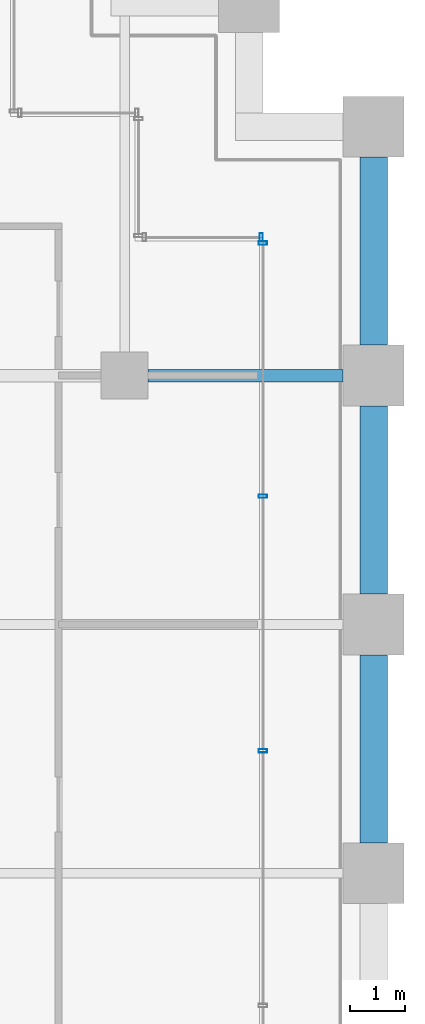
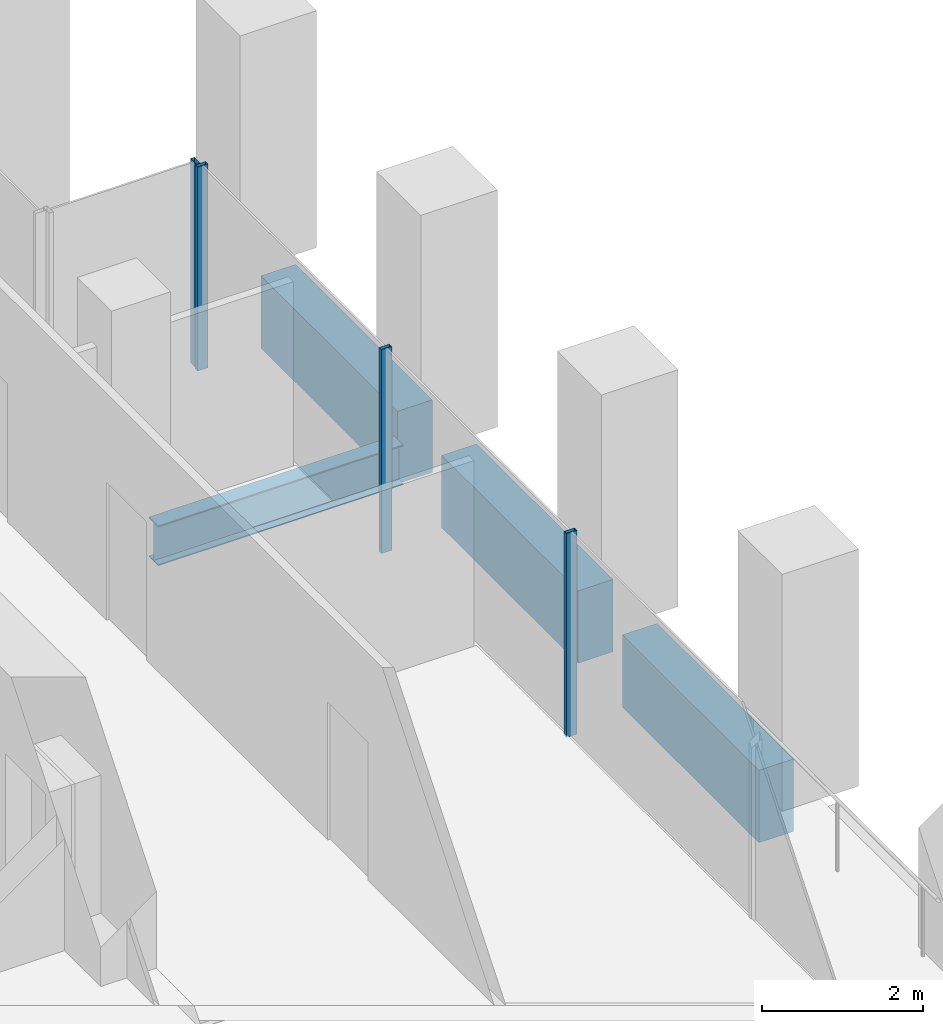
# One storey, part 47 of 56: 4 beams, 4 members, 2 elements without a shape of their own.
"""IFC4 building model written with IfcOpenShell, lengths in metres."""

import ifcopenshell
import ifcopenshell.guid

model = None  # the IFC model being written
_history = None  # IfcOwnerHistory: only IFC2X3 demands one
_inside = {}  # id of a spatial element -> (the spatial element, [elements in it])
_under = {}  # id of a project, library or spatial element -> (it, [spatial elements below it])
_declared = {}  # id of a project -> (the project, [libraries it declares])
_typed = {}  # id of a type object -> (the type object, [elements of that type])
_made_of = {}  # id of a material, layer set ... -> (it, [elements and type objects made of it])


def new_model(schema):
    """Start an empty IFC model of exactly this schema.

    Asked for "IFC4X3", IfcOpenShell would pick the latest addendum, in which some entities
    have other attributes; the version numbers below select the first issue.
    IFC2X3 requires an IfcOwnerHistory on every rooted entity: one is made here for all.
    """
    global model, _history
    if schema == "IFC4X3":
        model = ifcopenshell.file(schema_version=(4, 3, 0, 0))
    else:
        model = ifcopenshell.file(schema=schema)
    _inside.clear()
    _under.clear()
    _declared.clear()
    _typed.clear()
    _made_of.clear()
    _history = None
    if model.schema == "IFC2X3":
        org = make("IfcOrganization", Name="unknown")
        user = make(
            "IfcPersonAndOrganization",
            ThePerson=make("IfcPerson", FamilyName="unknown"),
            TheOrganization=org,
        )
        app = make(
            "IfcApplication",
            ApplicationDeveloper=org,
            Version="unknown",
            ApplicationFullName="unknown",
            ApplicationIdentifier="unknown",
        )
        _history = make(
            "IfcOwnerHistory",
            OwningUser=user,
            OwningApplication=app,
            ChangeAction="ADDED",
            CreationDate=0,
        )
    return model


def make(cls, **values):
    """One entity of the class cls with the attributes given. An attribute that is None is left unset."""
    return model.create_entity(
        cls, **{name: value for name, value in values.items() if value is not None}
    )


def rooted(cls, **values):
    """An entity with a GlobalId (a new one), such as an element, a storey or a relation."""
    return make(cls, GlobalId=ifcopenshell.guid.new(), OwnerHistory=_history, **values)


def si_unit(unit_type, name, prefix=None):
    """IfcSIUnit, for example si_unit("LENGTHUNIT", "METRE", prefix="MILLI")."""
    return make("IfcSIUnit", UnitType=unit_type, Prefix=prefix, Name=name)


def assignment(units):
    """IfcUnitAssignment: the units of a project."""
    return None if units is None else make("IfcUnitAssignment", Units=units)


def point(xyz):
    """IfcCartesianPoint."""
    return None if xyz is None else make("IfcCartesianPoint", Coordinates=xyz)


def direction(xyz):
    """IfcDirection."""
    return None if xyz is None else make("IfcDirection", DirectionRatios=xyz)


def frame(location, z_axis=None, x_axis=None):
    """IfcAxis2Placement3D, a coordinate frame: its origin and axes. An axis left out is left unset."""
    return make(
        "IfcAxis2Placement3D",
        Location=point(location),
        Axis=direction(z_axis),
        RefDirection=direction(x_axis),
    )


def frame_2d(location, x_axis=None):
    """IfcAxis2Placement2D, a coordinate frame in the plane: its origin and x axis."""
    return make(
        "IfcAxis2Placement2D", Location=point(location), RefDirection=direction(x_axis)
    )


def origin():
    """The frame at (0, 0, 0) with its axes left unset."""
    return frame((0.0, 0.0, 0.0))


def origin_2d():
    """The frame at (0, 0) in the plane with its x axis left unset."""
    return frame_2d((0.0, 0.0))


def place(relative_to, where):
    """IfcLocalPlacement: puts the frame where relative to a parent placement (None: the world)."""
    return make(
        "IfcLocalPlacement", PlacementRelTo=relative_to, RelativePlacement=where
    )


def context(
    kind, dimensions, precision=None, world=None, true_north=None, identifier=None
):
    """IfcGeometricRepresentationContext, for example the 3D "Model" context."""
    return make(
        "IfcGeometricRepresentationContext",
        ContextIdentifier=identifier,
        ContextType=kind,
        CoordinateSpaceDimension=dimensions,
        Precision=precision,
        WorldCoordinateSystem=world,
        TrueNorth=true_north,
    )


def subcontext(parent, identifier, kind, view, scale=None):
    """IfcGeometricRepresentationSubContext, for example "Body" below "Model"."""
    return make(
        "IfcGeometricRepresentationSubContext",
        ContextIdentifier=identifier,
        ContextType=kind,
        ParentContext=parent,
        TargetScale=scale,
        TargetView=view,
    )


def project(units=None, contexts=None):
    """IfcProject with its units and contexts."""
    return rooted(
        "IfcProject",
        Name="project",
        RepresentationContexts=contexts,
        UnitsInContext=assignment(units),
    )


def spatial(cls, under=None, at=None, **own):
    """A site, building, storey or space (cls), placed at a placement, below another one or the project."""
    s = rooted(cls, ObjectPlacement=at, **own)
    if under is not None:
        _under.setdefault(under.id(), (under, []))[1].append(s)
    return s


def profile(cls, at=None, kind="AREA", **sizes):
    """A parametric profile (cls). Its sizes go by their IFC names, for example OverallWidth=200.0."""
    return make(cls, ProfileType=kind, Position=at, **sizes)


def rectangle(**sizes):
    """IfcRectangleProfileDef."""
    return profile("IfcRectangleProfileDef", **sizes)


def hollow_rectangle(**sizes):
    """IfcRectangleHollowProfileDef."""
    return profile("IfcRectangleHollowProfileDef", **sizes)


def i_section(**sizes):
    """IfcIShapeProfileDef."""
    return profile("IfcIShapeProfileDef", **sizes)


def extrude(swept, where, along, depth):
    """IfcExtrudedAreaSolid: the profile swept, set in the frame where, extruded along a direction by depth."""
    return make(
        "IfcExtrudedAreaSolid",
        SweptArea=swept,
        Position=where,
        ExtrudedDirection=direction(along),
        Depth=depth,
    )


def shape(context_of_items, identifier, shape_type, items):
    """IfcShapeRepresentation: the items that make up one representation, for example the "Body"."""
    return make(
        "IfcShapeRepresentation",
        ContextOfItems=context_of_items,
        RepresentationIdentifier=identifier,
        RepresentationType=shape_type,
        Items=items,
    )


def material(Name=None, Category=None):
    """IfcMaterial."""
    return make("IfcMaterial", Name=Name, Category=Category)


def material_profile(
    of_material, cross_section, Name=None, Category=None, Priority=None
):
    """IfcMaterialProfile: a cross section and its material."""
    return make(
        "IfcMaterialProfile",
        Name=Name,
        Material=of_material,
        Profile=cross_section,
        Priority=Priority,
        Category=Category,
    )


def profile_set(profiles, Name=None, composite=None):
    """IfcMaterialProfileSet."""
    return make(
        "IfcMaterialProfileSet",
        Name=Name,
        MaterialProfiles=profiles,
        CompositeProfile=composite,
    )


def made_of(thing, what):
    """Note that an element or type object is made of a material, layer set ...; save() writes the relation."""
    if what is not None:
        _made_of.setdefault(what.id(), (what, []))[1].append(thing)
    return thing


def type_object(cls, material=None, **own):
    """A type object (cls), such as IfcWallType, which elements share."""
    return made_of(rooted(cls, **own), material)


def element(
    cls,
    number,
    at=None,
    inside=None,
    cuts=None,
    type_object=None,
    material=None,
    context=None,
    identifier="Body",
    shape_type=None,
    held_by="IfcProductDefinitionShape",
    body=None,
    shapes=None,
    **own,
):
    """One element of the class cls, such as IfcWall. Its Tag is "e" and its number.

    at: its placement. inside: the storey or other place that contains it. cuts: it is an
    opening in that element (IfcRelVoidsElement). A single representation is given by context,
    identifier, shape_type and body (its items); several are given by shapes. held_by: the class
    of the entity that holds the representations. save() writes the other relations.
    """
    e = rooted(cls, Tag="e%d" % number, ObjectPlacement=at, **own)
    if body is not None:
        shapes = [shape(context, identifier, shape_type, body)]
    if shapes is not None:
        e.Representation = make(held_by, Representations=shapes)
    if inside is not None:
        _inside.setdefault(inside.id(), (inside, []))[1].append(e)
    if cuts is not None:
        rooted(
            "IfcRelVoidsElement", RelatingBuildingElement=cuts, RelatedOpeningElement=e
        )
    if type_object is not None:
        _typed.setdefault(type_object.id(), (type_object, []))[1].append(e)
    return made_of(e, material)


def aggregate(whole, parts):
    """IfcRelAggregates: a whole, such as a stair, and the parts it consists of."""
    return rooted("IfcRelAggregates", RelatingObject=whole, RelatedObjects=parts)


def save(model, path):
    """Write the relations noted so far, then the file.

    IfcRelAggregates (storeys below a building ...), IfcRelContainedInSpatialStructure (elements
    in a storey), IfcRelDefinesByType, IfcRelAssociatesMaterial and IfcRelDeclares: one each for
    every whole, place, type object, material and project.
    """
    for whole, parts in _under.values():
        aggregate(whole, parts)
    for where, things in _inside.values():
        rooted(
            "IfcRelContainedInSpatialStructure",
            RelatedElements=things,
            RelatingStructure=where,
        )
    for kind, things in _typed.values():
        rooted("IfcRelDefinesByType", RelatedObjects=things, RelatingType=kind)
    for what, things in _made_of.values():
        rooted("IfcRelAssociatesMaterial", RelatedObjects=things, RelatingMaterial=what)
    for by, libraries in _declared.values():
        rooted("IfcRelDeclares", RelatingContext=by, RelatedDefinitions=libraries)
    model.write(path)


model = new_model("IFC4")

# Units and contexts
model_context = context("Model", 3, precision=1e-05, world=origin(), true_north=direction((0.0, 1.0)))
body_context = subcontext(model_context, "Body", "Model", "MODEL_VIEW")
ifc_project = project(units=[si_unit("LENGTHUNIT", "METRE"), si_unit("AREAUNIT", "SQUARE_METRE"), si_unit("VOLUMEUNIT", "CUBIC_METRE"), si_unit("PLANEANGLEUNIT", "RADIAN"), si_unit("MASSUNIT", "GRAM", prefix="KILO")], contexts=[model_context])

# Site, building, storey
site_placement = place(None, origin())
site = spatial("IfcSite", under=ifc_project, at=site_placement, CompositionType="ELEMENT")
building_placement = place(site_placement, origin())
building = spatial("IfcBuilding", under=site, at=building_placement, Name="Altepetl Exchange Towers", CompositionType="ELEMENT")
storey_placement = place(building_placement, frame((0.0, 0.0, 51.0)))
storey = spatial("IfcBuildingStorey", under=building, at=storey_placement, Name="L11", CompositionType="ELEMENT", Elevation=51.0)

# Beam
ifc_material_1 = material(Name="Steel S355", Category="steel")
ifc_material_profile_1 = material_profile(ifc_material_1, i_section(OverallWidth=0.22802734375, OverallDepth=0.60791015625, WebThickness=0.01123046875, FlangeThickness=0.017333984375, at=origin_2d()), Name="W24X76")
ifc_profile_set_1 = profile_set([ifc_material_profile_1], Name="Steel S355")
beam_type_1 = type_object("IfcBeamType", Name="Girder W24X76", PredefinedType="BEAM", material=ifc_profile_set_1)
beam_1_placement = place(storey_placement, frame((121.925048828125, 49.5, -0.4541015625), z_axis=(1.0, 0.0, 0.0), x_axis=(0.0, 1.0, 0.0)))
element("IfcBeam", 1, at=beam_1_placement, inside=storey, type_object=beam_type_1, Name="gd:B:L11:001", PredefinedType="BEAM", context=body_context, shape_type="SweptSolid", body=[
    extrude(i_section(OverallWidth=0.22802734375, OverallDepth=0.60791015625, WebThickness=0.01123046875, FlangeThickness=0.017333984375, at=origin_2d()), origin(), (0.0, 0.0, 1.0), 3.52490234375),
])

# Curtain wall, members
ifc_material_2 = material(Name="Aluminium 6063-T6 glazing", Category="aluminium")
curtain_wall_type = type_object("IfcCurtainWallType", Name="Loggia glazing system", PredefinedType="NOTDEFINED", material=ifc_material_2)
curtain_wall_1_placement = place(storey_placement, origin())
curtain_wall_1 = element("IfcCurtainWall", 2, at=curtain_wall_1_placement, inside=storey, type_object=curtain_wall_type, Name="CW1 run", PredefinedType="NOTDEFINED")
ifc_material_3 = material(Name="Aluminium 6063-T6", Category="aluminium")
ifc_material_profile_2 = material_profile(ifc_material_3, hollow_rectangle(XDim=0.06005859375, YDim=0.14990234375, WallThickness=0.0029296875, at=origin_2d()), Name="Mullion 60x150 aluminium")
ifc_profile_set_2 = profile_set([ifc_material_profile_2], Name="Aluminium 6063-T6")
member_type = type_object("IfcMemberType", Name="Mullion 60x150 aluminium", PredefinedType="MULLION", material=ifc_profile_set_2)
member_1_placement = place(storey_placement, frame((124.0, 42.71240234375, 0.0), z_axis=(0.0, 0.0, 1.0), x_axis=(0.0, 1.0, 0.0)))
member_1 = element("IfcMember", 3, at=member_1_placement, type_object=member_type, Name="MU1 mullion", PredefinedType="MULLION", context=body_context, shape_type="SweptSolid", body=[
    extrude(hollow_rectangle(XDim=0.06005859375, YDim=0.14990234375, WallThickness=0.0029296875, at=origin_2d()), origin(), (0.0, 0.0, 1.0), 3.10009765625),
])
member_2_placement = place(storey_placement, frame((124.0, 47.31884765625, 0.0), z_axis=(0.0, 0.0, 1.0), x_axis=(0.0, 1.0, 0.0)))
member_2 = element("IfcMember", 4, at=member_2_placement, type_object=member_type, Name="MU1 mullion", PredefinedType="MULLION", context=body_context, shape_type="SweptSolid", body=[
    extrude(hollow_rectangle(XDim=0.06005859375, YDim=0.14990234375, WallThickness=0.0029296875, at=origin_2d()), origin(), (0.0, 0.0, 1.0), 3.10009765625),
])
member_3_placement = place(storey_placement, frame((124.0, 51.89501953125, 0.0), z_axis=(0.0, 0.0, 1.0), x_axis=(0.0, 1.0, 0.0)))
member_3 = element("IfcMember", 5, at=member_3_placement, type_object=member_type, Name="MU1 mullion", PredefinedType="MULLION", context=body_context, shape_type="SweptSolid", body=[
    extrude(hollow_rectangle(XDim=0.06005859375, YDim=0.14990234375, WallThickness=0.0029296875, at=origin_2d()), origin(), (0.0, 0.0, 1.0), 3.10009765625),
])
aggregate(curtain_wall_1, [member_1, member_2, member_3])

# Curtain wall, member
curtain_wall_2_placement = place(storey_placement, origin())
curtain_wall_2 = element("IfcCurtainWall", 6, at=curtain_wall_2_placement, inside=storey, type_object=curtain_wall_type, Name="CW1 run", PredefinedType="NOTDEFINED")
member_4_placement = place(storey_placement, frame((123.969970703125, 52.0, 0.0), z_axis=(0.0, 0.0, 1.0), x_axis=(-1.0, 0.0, 0.0)))
member_4 = element("IfcMember", 7, at=member_4_placement, type_object=member_type, Name="MU1 mullion", PredefinedType="MULLION", context=body_context, shape_type="SweptSolid", body=[
    extrude(hollow_rectangle(XDim=0.06005859375, YDim=0.14990234375, WallThickness=0.0029296875, at=origin_2d()), origin(), (0.0, 0.0, 1.0), 3.10009765625),
])
aggregate(curtain_wall_2, [member_4])

# Beams
ifc_material_4 = material(Name="Concrete C50/60 precast with cantera amarilla facing", Category="concrete")
ifc_material_profile_3 = material_profile(ifc_material_4, rectangle(XDim=0.5, YDim=1.10009765625, at=origin_2d()), Name="500 x 1100")
ifc_profile_set_3 = profile_set([ifc_material_profile_3], Name="Concrete C50/60 precast with cantera amarilla facing")
beam_type_2 = type_object("IfcBeamType", Name="Spandrel beam 500x1100 cantera amarilla", PredefinedType="SPANDREL", material=ifc_profile_set_3)
beam_2_placement = place(storey_placement, frame((126.0, 50.050048828125, -0.699951171875), z_axis=(0.0, 1.0, 0.0), x_axis=(-1.0, 0.0, 0.0)))
element("IfcBeam", 8, at=beam_2_placement, inside=storey, type_object=beam_type_2, Name="sp:B:L11:013", PredefinedType="SPANDREL", context=body_context, shape_type="SweptSolid", body=[
    extrude(rectangle(XDim=0.5, YDim=1.10009765625, at=origin_2d()), origin(), (0.0, 0.0, 1.0), 3.39990234375),
])
ifc_material_5 = material(Name="Concrete C50/60 precast with cantera blanca facing", Category="concrete")
ifc_material_profile_4 = material_profile(ifc_material_5, rectangle(XDim=0.5, YDim=1.10009765625, at=origin_2d()), Name="500 x 1100")
ifc_profile_set_4 = profile_set([ifc_material_profile_4], Name="Concrete C50/60 precast with cantera blanca facing")
beam_type_3 = type_object("IfcBeamType", Name="Spandrel beam 500x1100 cantera blanca", PredefinedType="SPANDREL", material=ifc_profile_set_4)
for number, where, z_axis, x_axis, name in (
    (9, (126.0, 41.050048828125, -0.699951171875), (0.0, 1.0, 0.0), (-1.0, 0.0, 0.0), "sp:B:L11:011"),
    (10, (126.0, 45.550048828125, -0.699951171875), (0.0, 1.0, 0.0), (-1.0, 0.0, 0.0), "sp:B:L11:012"),
):
    element("IfcBeam", number, at=place(storey_placement, frame(where, z_axis=z_axis, x_axis=x_axis)), inside=storey, type_object=beam_type_3, Name=name, PredefinedType="SPANDREL", context=body_context, shape_type="SweptSolid", body=[
        extrude(rectangle(XDim=0.5, YDim=1.10009765625, at=origin_2d()), origin(), (0.0, 0.0, 1.0), 3.39990234375),
    ])

save(model, "model.ifc")
